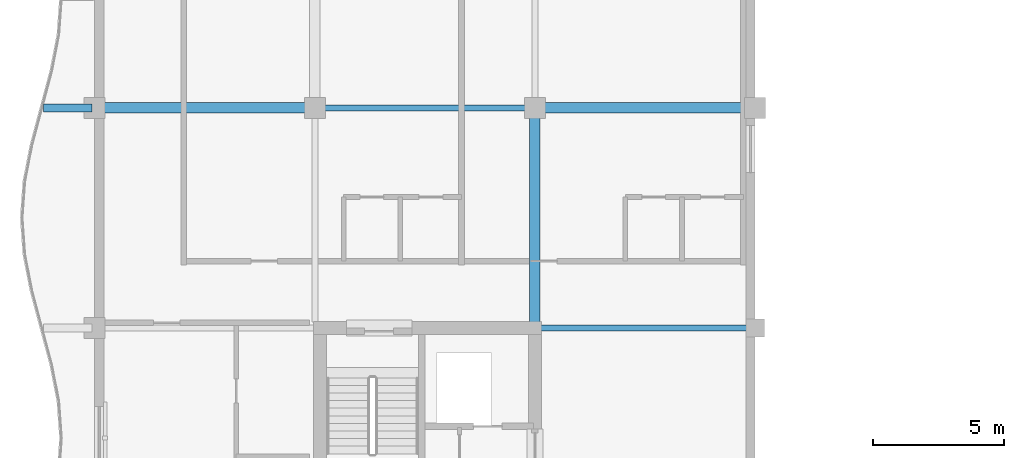
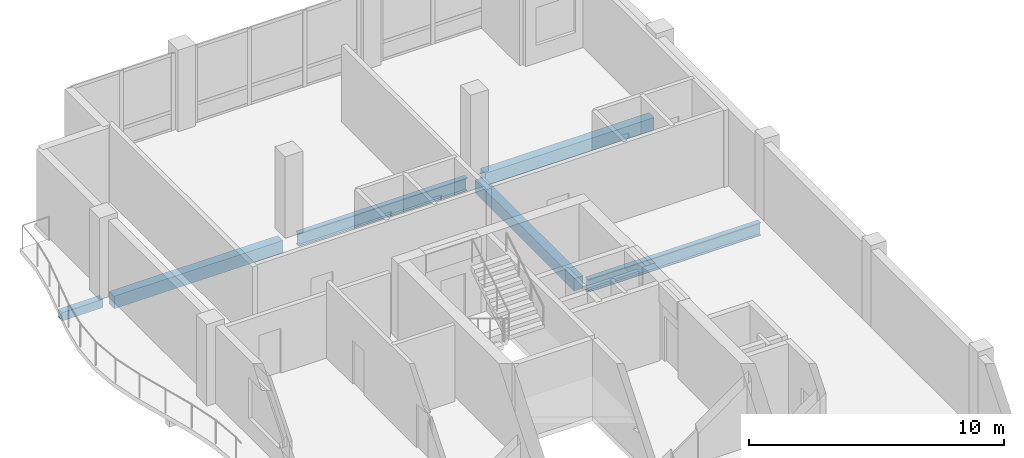
# One storey, part 2 of 15: 6 beams.
"""IFC4 building model written with IfcOpenShell, lengths in metres."""

from ifc_helpers import new_model, si_unit, direction, frame, origin, origin_2d, place, context, subcontext, project, spatial, rectangle, i_section, extrude, material, material_profile, profile_set, type_object, element, save


model = new_model("IFC4")

# Units and contexts
model_context = context("Model", 3, precision=1e-05, world=origin(), true_north=direction((0.0, 1.0)))
body_context = subcontext(model_context, "Body", "Model", "MODEL_VIEW")
ifc_project = project(units=[si_unit("LENGTHUNIT", "METRE"), si_unit("AREAUNIT", "SQUARE_METRE"), si_unit("VOLUMEUNIT", "CUBIC_METRE"), si_unit("PLANEANGLEUNIT", "RADIAN"), si_unit("MASSUNIT", "GRAM", prefix="KILO")], contexts=[model_context])

# Site, building, storey
site_placement = place(None, origin())
site = spatial("IfcSite", under=ifc_project, at=site_placement, CompositionType="ELEMENT")
building_placement = place(site_placement, origin())
building = spatial("IfcBuilding", under=site, at=building_placement, Name="Koriwani Terraces Tower", CompositionType="ELEMENT")
storey_placement = place(building_placement, frame((0.0, 0.0, 300.800048828125)))
storey = spatial("IfcBuildingStorey", under=building, at=storey_placement, Name="L74", CompositionType="ELEMENT", Elevation=300.800048828125)

# Beams
ifc_material_1 = material(Name="Concrete C40/50", Category="concrete")
ifc_material_profile_1 = material_profile(ifc_material_1, rectangle(XDim=0.300048828125, YDim=0.39990234375, at=origin_2d()), Name="Concrete C40/50", Category="LoadBearing")
ifc_profile_set_1 = profile_set([ifc_material_profile_1], Name="Concrete C40/50")
beam_type_1 = type_object("IfcBeamType", Name="BEAM_RC_BALCONY_RIB_300X400", PredefinedType="JOIST", material=ifc_profile_set_1)
beam_1_placement = place(storey_placement, frame((6.449951171875, 67.199951171875, -0.429931640625), z_axis=(1.0, 0.0, 0.0), x_axis=(0.0, 1.0, 0.0)))
element("IfcBeam", 1, at=beam_1_placement, inside=storey, type_object=beam_type_1, Name="L74 Balcony Bracket Rib W-4", PredefinedType="JOIST", context=body_context, shape_type="SweptSolid", body=[
    extrude(rectangle(XDim=0.300048828125, YDim=0.39990234375, at=origin_2d()), origin(), (0.0, 0.0, 1.0), 1.85009765625),
])
ifc_material_profile_2 = material_profile(ifc_material_1, rectangle(XDim=0.39990234375, YDim=0.60009765625, at=origin_2d()), Name="Concrete C40/50", Category="LoadBearing")
ifc_profile_set_2 = profile_set([ifc_material_profile_2], Name="Concrete C40/50")
beam_type_2 = type_object("IfcBeamType", Name="BEAM_RC_GRID_400X600", PredefinedType="BEAM", material=ifc_profile_set_2)
for number, where, z_axis, x_axis, name in (
    (2, (8.780029296875, 67.199951171875, -0.530029296875), (1.0, 0.0, 0.0), (0.0, 1.0, 0.0), "L74 Grid Beam I (8.4-16.8m)"),
    (3, (25.580078125, 67.199951171875, -0.530029296875), (1.0, 0.0, 0.0), (0.0, 1.0, 0.0), "L74 Grid Beam I (25.2-33.6m)"),
):
    element("IfcBeam", number, at=place(storey_placement, frame(where, z_axis=z_axis, x_axis=x_axis)), inside=storey, type_object=beam_type_2, Name=name, PredefinedType="BEAM", context=body_context, shape_type="SweptSolid", body=[
        extrude(rectangle(XDim=0.39990234375, YDim=0.60009765625, at=origin_2d()), origin(), (0.0, 0.0, 1.0), 7.639892578125),
    ])
beam_2_placement = place(storey_placement, frame((25.199951171875, 59.030029296875, -0.530029296875), z_axis=(0.0, 1.0, 0.0), x_axis=(-1.0, 0.0, 0.0)))
element("IfcBeam", 4, at=beam_2_placement, inside=storey, type_object=beam_type_2, Name="L74 Grid Beam 4 (58.8-67.2m)", PredefinedType="BEAM", context=body_context, shape_type="SweptSolid", body=[
    extrude(rectangle(XDim=0.39990234375, YDim=0.60009765625, at=origin_2d()), origin(), (0.0, 0.0, 1.0), 7.7900390625),
])
ifc_material_2 = material(Name="Steel ASTM A572 Grade 50", Category="steel")
ifc_material_profile_3 = material_profile(ifc_material_2, i_section(OverallWidth=0.23095703125, OverallDepth=0.616943359375, WebThickness=0.015380859375, FlangeThickness=0.0244140625, at=origin_2d()), Name="Steel ASTM A572 Grade 50", Category="LoadBearing")
ifc_profile_set_3 = profile_set([ifc_material_profile_3], Name="Steel ASTM A572 Grade 50")
beam_type_3 = type_object("IfcBeamType", Name="STEEL_BEAM_W610X195", PredefinedType="BEAM", material=ifc_profile_set_3)
beam_3_placement = place(storey_placement, frame((25.429931640625, 58.800048828125, -0.53857421875), z_axis=(1.0, 0.0, 0.0), x_axis=(0.0, 1.0, 0.0)))
element("IfcBeam", 5, at=beam_3_placement, inside=storey, type_object=beam_type_3, Name="L74 Grid Beam H (25.2-33.6m)", PredefinedType="BEAM", context=body_context, shape_type="SweptSolid", body=[
    extrude(i_section(OverallWidth=0.23095703125, OverallDepth=0.616943359375, WebThickness=0.015380859375, FlangeThickness=0.0244140625, at=origin_2d()), origin(), (0.0, 0.0, 1.0), 7.840087890625),
])
beam_4_placement = place(storey_placement, frame((17.179931640625, 67.199951171875, -0.53857421875), z_axis=(1.0, 0.0, 0.0), x_axis=(0.0, 1.0, 0.0)))
element("IfcBeam", 6, at=beam_4_placement, inside=storey, type_object=beam_type_3, Name="L74 Grid Beam I (16.8-25.2m)", PredefinedType="BEAM", context=body_context, shape_type="SweptSolid", body=[
    extrude(i_section(OverallWidth=0.23095703125, OverallDepth=0.616943359375, WebThickness=0.015380859375, FlangeThickness=0.0244140625, at=origin_2d()), origin(), (0.0, 0.0, 1.0), 7.64013671875),
])

save(model, "model.ifc")
